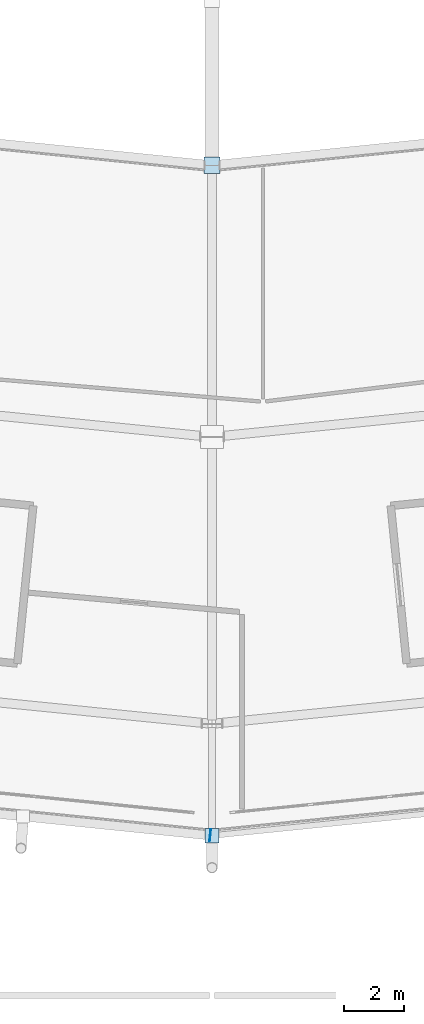
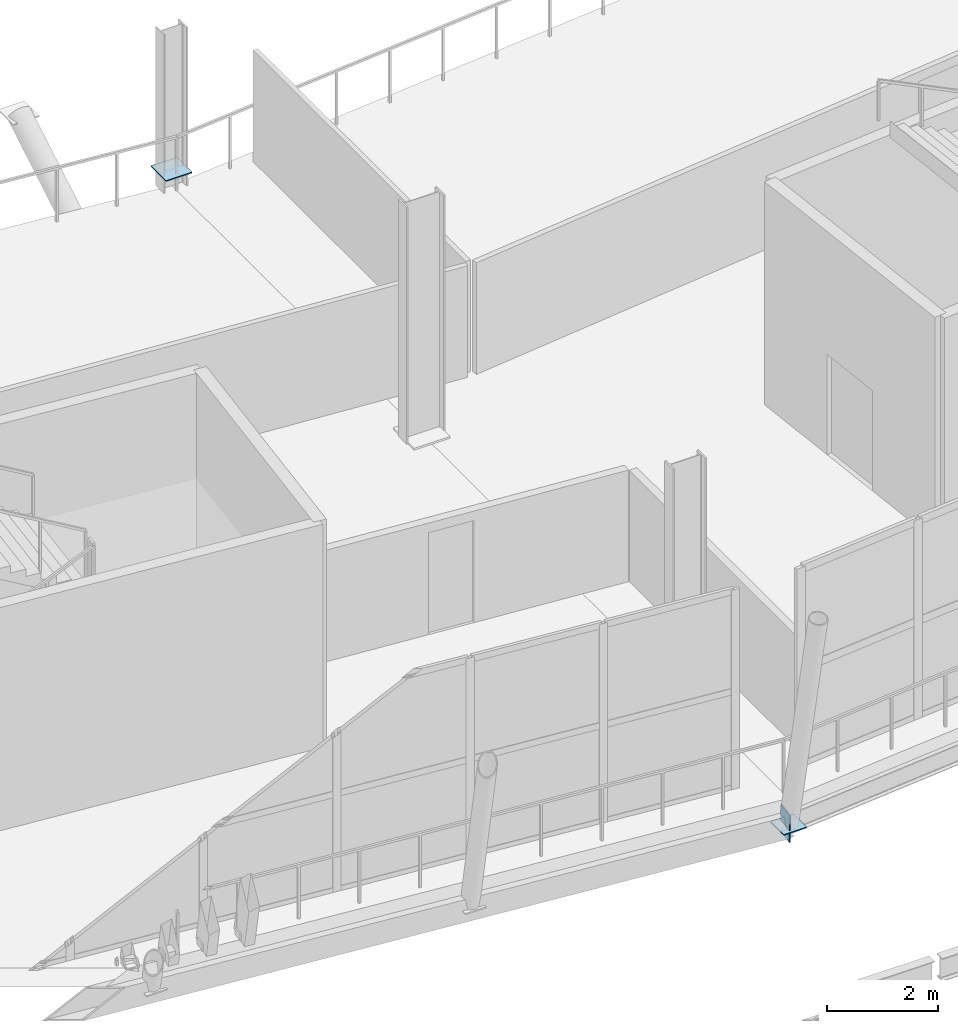
# One storey, part 96 of 168: 3 plates.
"""IFC4 building model written with IfcOpenShell, lengths in metres."""

from ifc_helpers import new_model, si_unit, direction, frame, origin, origin_2d, place, context, subcontext, project, spatial, rectangle, extrude, material, layer, layer_set, type_object, element, save


model = new_model("IFC4")

# Units and contexts
model_context = context("Model", 3, precision=1e-05, world=origin(), true_north=direction((0.0, 1.0)))
body_context = subcontext(model_context, "Body", "Model", "MODEL_VIEW")
ifc_project = project(units=[si_unit("LENGTHUNIT", "METRE"), si_unit("AREAUNIT", "SQUARE_METRE"), si_unit("VOLUMEUNIT", "CUBIC_METRE"), si_unit("PLANEANGLEUNIT", "RADIAN"), si_unit("MASSUNIT", "GRAM", prefix="KILO")], contexts=[model_context])

# Site, building, storey
site_placement = place(None, origin())
site = spatial("IfcSite", under=ifc_project, at=site_placement, CompositionType="ELEMENT")
building_placement = place(site_placement, origin())
building = spatial("IfcBuilding", under=site, at=building_placement, Name="Zlatoyarsky Gate Stadium", CompositionType="ELEMENT")
storey_placement = place(building_placement, frame((0.0, 0.0, 15.60009765625)))
storey = spatial("IfcBuildingStorey", under=building, at=storey_placement, Name="L03", CompositionType="ELEMENT", Elevation=15.60009765625)

# Plates
ifc_material = material(Name="Steel S355", Category="steel")
ifc_layer = layer(ifc_material, 0.02392578125)
ifc_layer_set = layer_set([ifc_layer], Name="Steel S355")
plate_type = type_object("IfcPlateType", Name="STEEL HOLLOW CHORD SPLICE SHEET 24", PredefinedType="SHEET", material=ifc_layer_set)
plate_1_placement = place(storey_placement, frame((110.940185546875, 5.303955078125, -0.830078125), z_axis=(0.0, 0.0, 1.0), x_axis=(0.994868281211, -0.101178570066, 0.0)))
element("IfcPlate", 1, at=plate_1_placement, inside=storey, type_object=plate_type, Name="Hollow end cap ND-SP1 CAP-L03-SPD-17 B", PredefinedType="SHEET", context=body_context, shape_type="SweptSolid", body=[
    extrude(rectangle(XDim=0.02392578125, YDim=0.39990234375, at=origin_2d()), origin(), (0.0, 0.0, 1.0), 0.60009765625),
])
plate_2_placement = place(storey_placement, frame((111.0, 5.2978515625, -0.592041015625), z_axis=(0.0, 0.0, 1.0), x_axis=(1.0, 0.0, 0.0)))
element("IfcPlate", 2, at=plate_2_placement, inside=storey, type_object=plate_type, Name="Node closure plate ND-SP1 NCAP-L03-RSTR-18", PredefinedType="SHEET", context=body_context, shape_type="SweptSolid", body=[
    extrude(rectangle(XDim=0.47998046875, YDim=0.47998046875, at=origin_2d()), origin(), (0.0, 0.0, 1.0), 0.02392578125),
])
plate_3_placement = place(storey_placement, frame((111.0, 27.5, 0.337890625), z_axis=(0.0, 0.0, 1.0), x_axis=(1.0, 0.0, 0.0)))
element("IfcPlate", 3, at=plate_3_placement, inside=storey, type_object=plate_type, Name="Node closure plate ND-SP1 NCAP-UTOPB-18", PredefinedType="SHEET", context=body_context, shape_type="SweptSolid", body=[
    extrude(rectangle(XDim=0.5400390625, YDim=0.5400390625, at=origin_2d()), origin(), (0.0, 0.0, 1.0), 0.02392578125),
])

save(model, "model.ifc")
